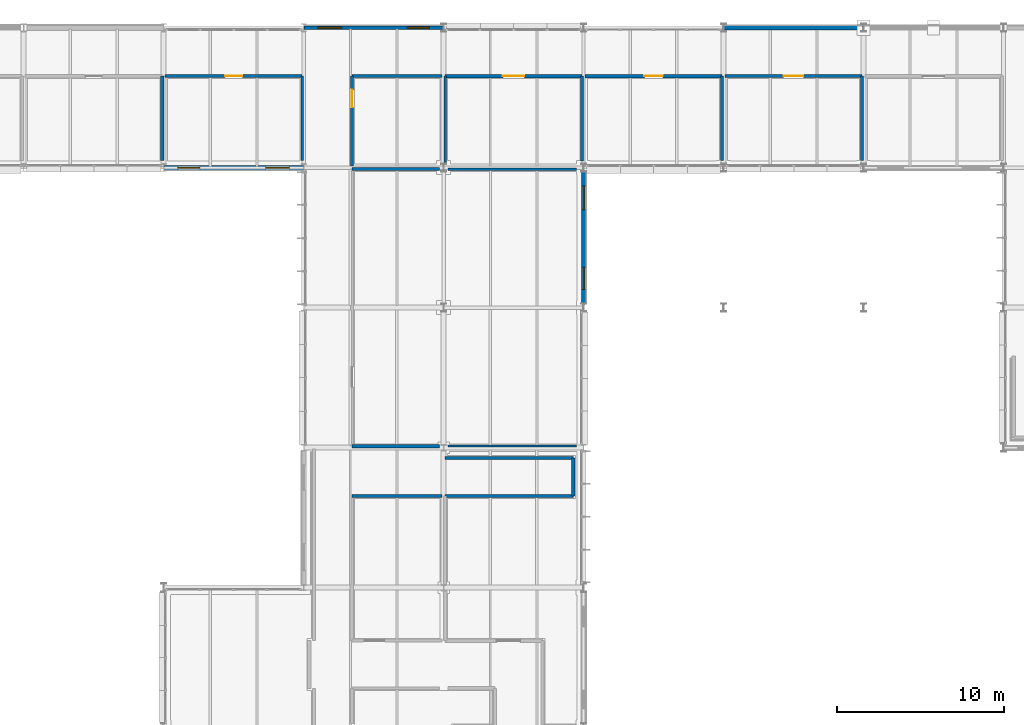
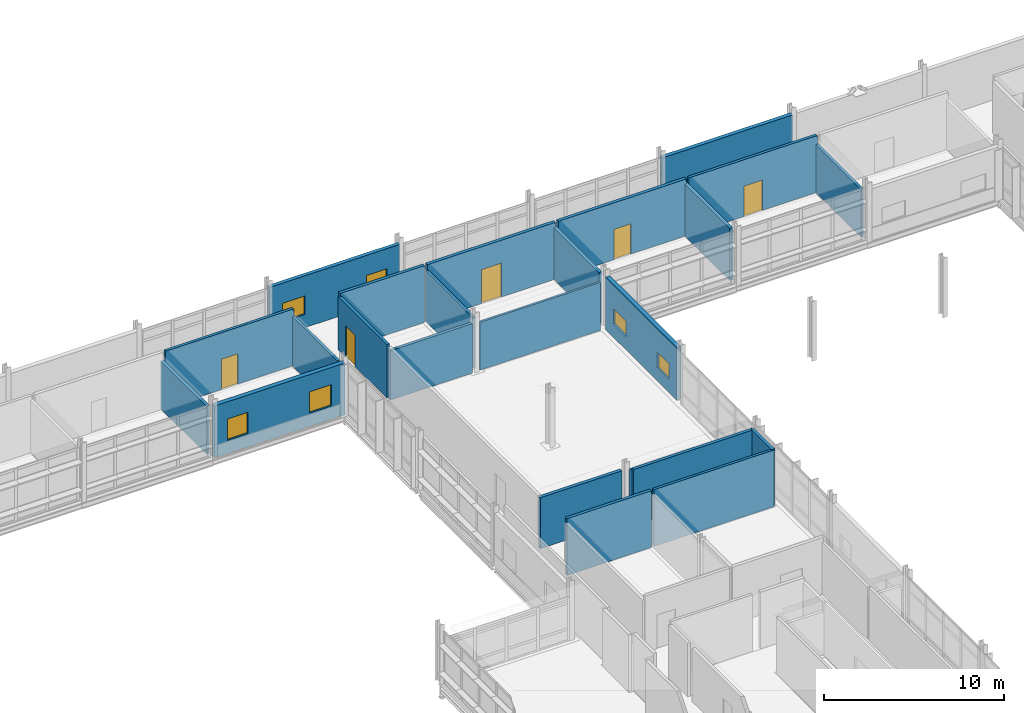
# One storey, part 110 of 131: 24 walls, 6 windows, 5 doors, 11 openings.
"""IFC4 building model written with IfcOpenShell, lengths in metres."""

from ifc_helpers import new_model, si_unit, direction, frame, frame_2d, origin, place, context, subcontext, project, spatial, rectangle, extrude, material, layer, layer_set, type_object, element, fill, save


model = new_model("IFC4")

# Units and contexts
model_context = context("Model", 3, precision=1e-05, world=origin(), true_north=direction((0.0, 1.0)))
body_context = subcontext(model_context, "Body", "Model", "MODEL_VIEW")
ifc_project = project(units=[si_unit("LENGTHUNIT", "METRE"), si_unit("AREAUNIT", "SQUARE_METRE"), si_unit("VOLUMEUNIT", "CUBIC_METRE"), si_unit("PLANEANGLEUNIT", "RADIAN"), si_unit("MASSUNIT", "GRAM", prefix="KILO")], contexts=[model_context])

# Site, building, storey
site_placement = place(None, origin())
site = spatial("IfcSite", under=ifc_project, at=site_placement, CompositionType="ELEMENT")
building_placement = place(site_placement, origin())
building = spatial("IfcBuilding", under=site, at=building_placement, Name="Mersafa Astral City Hall", CompositionType="ELEMENT")
storey_placement = place(building_placement, frame((0.0, 0.0, 13.949951171875)))
storey = spatial("IfcBuildingStorey", under=building, at=storey_placement, Name="L03", CompositionType="ELEMENT", Elevation=13.949951171875)

# Wall, openings, windows
ifc_material_1 = material(Name="Precast concrete C40/50 insulated terracotta spandrel", Category="masonry")
ifc_layer_1 = layer(ifc_material_1, 0.235107421875, Name="Precast concrete C40/50 insulated terracotta spandrel")
ifc_layer_set_1 = layer_set([ifc_layer_1], Name="Precast concrete C40/50 insulated terracotta spandrel — ENV-WAL-EXT-235")
wall_type_1 = type_object("IfcWallType", Name="ENV-WAL-EXT-235", PredefinedType="STANDARD", material=ifc_layer_set_1)
wall_1_placement = place(storey_placement, frame((109.19189453125, 126.0, 0.0), z_axis=(0.0, 0.0, 1.0), x_axis=(-1.0, 0.0, 0.0)))
wall_1 = element("IfcWall", 1, at=wall_1_placement, inside=storey, type_object=wall_type_1, Name="L03 Limestone-clad exterior wall 257", PredefinedType="STANDARD", context=body_context, shape_type="SweptSolid", body=[
    extrude(rectangle(XDim=8.3837890625, YDim=0.235107421875, at=frame_2d((4.19189453125, 0.0))), origin(), (0.0, 0.0, 1.0), 3.51708984375),
])
opening_1_placement = place(wall_1_placement, frame((0.85009765625, 0.0, 0.89990234375)))
opening_1 = element("IfcOpeningElement", 2, at=opening_1_placement, cuts=wall_1, Name="Opening W-14", PredefinedType="OPENING", context=body_context, shape_type="SweptSolid", body=[
    extrude(rectangle(XDim=1.320068359375, YDim=1.25, at=frame_2d((0.66015625, 0.625))), frame((0.0, 0.12744140625, 0.0), z_axis=(0.0, -1.0, 0.0), x_axis=(1.0, 0.0, 0.0)), (0.0, 0.0, 1.0), 0.255126953125),
])
opening_2_placement = place(wall_1_placement, frame((6.114013671875, 0.0, 0.89990234375)))
opening_2 = element("IfcOpeningElement", 3, at=opening_2_placement, cuts=wall_1, Name="Opening W-15", PredefinedType="OPENING", context=body_context, shape_type="SweptSolid", body=[
    extrude(rectangle(XDim=1.419921875, YDim=1.25, at=frame_2d((0.7099609375, 0.625))), frame((0.0, 0.12744140625, 0.0), z_axis=(0.0, -1.0, 0.0), x_axis=(1.0, 0.0, 0.0)), (0.0, 0.0, 1.0), 0.255126953125),
])
ifc_material_2 = material(Name="Solar control low-e double glazing in bronze frame", Category="glass")
window_type_1 = type_object("IfcWindowType", Name="ENV-WIN-W-14", PartitioningType="SINGLE_PANEL", PredefinedType="WINDOW", material=ifc_material_2)
window_1_placement = place(opening_1_placement, origin())
window_1 = element("IfcWindow", 4, at=window_1_placement, inside=storey, type_object=window_type_1, Name="L03 Solar punched window 257-L", OverallHeight=1.25, OverallWidth=1.320068359375, PartitioningType="SINGLE_PANEL", PredefinedType="WINDOW", context=body_context, shape_type="SweptSolid", body=[
    extrude(rectangle(XDim=1.320068359375, YDim=1.25, at=frame_2d((0.66015625, 0.625))), frame((0.0, 0.030029296875, 0.0), z_axis=(0.0, -1.0, 0.0), x_axis=(1.0, 0.0, 0.0)), (0.0, 0.0, 1.0), 0.06005859375),
])
fill(opening_1, window_1)
window_type_2 = type_object("IfcWindowType", Name="ENV-WIN-W-15", PartitioningType="SINGLE_PANEL", PredefinedType="WINDOW", material=ifc_material_2)
window_2_placement = place(opening_2_placement, origin())
window_2 = element("IfcWindow", 5, at=window_2_placement, inside=storey, type_object=window_type_2, Name="L03 Solar punched window 257-R", OverallHeight=1.25, OverallWidth=1.419921875, PartitioningType="SINGLE_PANEL", PredefinedType="WINDOW", context=body_context, shape_type="SweptSolid", body=[
    extrude(rectangle(XDim=1.419921875, YDim=1.25, at=frame_2d((0.7099609375, 0.625))), frame((0.0, 0.030029296875, 0.0), z_axis=(0.0, -1.0, 0.0), x_axis=(1.0, 0.0, 0.0)), (0.0, 0.0, 1.0), 0.06005859375),
])
fill(opening_2, window_2)

# Wall
ifc_layer_2 = layer(ifc_material_1, 0.25, Name="Precast concrete C40/50 insulated terracotta spandrel")
ifc_layer_set_2 = layer_set([ifc_layer_2], Name="Precast concrete C40/50 insulated terracotta spandrel — ENV-WAL-EXT-250")
wall_type_2 = type_object("IfcWallType", Name="ENV-WAL-EXT-250", PredefinedType="STANDARD", material=ifc_layer_set_2)
wall_2_placement = place(storey_placement, frame((134.39208984375, 126.0, 0.0), z_axis=(0.0, 0.0, 1.0), x_axis=(-1.0, 0.0, 0.0)))
element("IfcWall", 6, at=wall_2_placement, inside=storey, type_object=wall_type_2, Name="L03 Limestone-clad exterior wall 256", PredefinedType="STANDARD", context=body_context, shape_type="SweptSolid", body=[
    extrude(rectangle(XDim=8.384033203125, YDim=0.25, at=frame_2d((4.19189453125, 0.0))), origin(), (0.0, 0.0, 1.0), 3.487060546875),
])

# Wall, openings, windows
ifc_material_3 = material(Name="Precast concrete C40/50 insulated limestone wall", Category="masonry")
ifc_layer_3 = layer(ifc_material_3, 0.280029296875, Name="Precast concrete C40/50 insulated limestone wall")
ifc_layer_set_3 = layer_set([ifc_layer_3], Name="Precast concrete C40/50 insulated limestone wall — ENV-WAL-EXT-280")
wall_type_3 = type_object("IfcWallType", Name="ENV-WAL-EXT-280", PredefinedType="STANDARD", material=ifc_layer_set_3)
wall_3_placement = place(storey_placement, frame((117.60009765625, 109.446044921875, 0.0), z_axis=(0.0, 0.0, 1.0), x_axis=(0.0, 1.0, 0.0)))
wall_3 = element("IfcWall", 7, at=wall_3_placement, inside=storey, type_object=wall_type_3, Name="L03 Limestone-clad exterior wall 236", PredefinedType="STANDARD", context=body_context, shape_type="SweptSolid", body=[
    extrude(rectangle(XDim=7.907958984375, YDim=0.280029296875, at=frame_2d((3.9541015625, 0.0))), origin(), (0.0, 0.0, 1.0), 3.5771484375),
])
opening_3_placement = place(wall_3_placement, frame((0.85009765625, 0.0, 0.89990234375)))
opening_3 = element("IfcOpeningElement", 8, at=opening_3_placement, cuts=wall_3, Name="Opening W-04", PredefinedType="OPENING", context=body_context, shape_type="SweptSolid", body=[
    extrude(rectangle(XDim=1.320068359375, YDim=1.050048828125, at=frame_2d((0.66015625, 0.52490234375))), frame((0.0, 0.14990234375, 0.0), z_axis=(0.0, -1.0, 0.0), x_axis=(1.0, 0.0, 0.0)), (0.0, 0.0, 1.0), 0.300048828125),
])
opening_4_placement = place(wall_3_placement, frame((5.637939453125, 0.0, 0.89990234375)))
opening_4 = element("IfcOpeningElement", 9, at=opening_4_placement, cuts=wall_3, Name="Opening W-05", PredefinedType="OPENING", context=body_context, shape_type="SweptSolid", body=[
    extrude(rectangle(XDim=1.419921875, YDim=1.050048828125, at=frame_2d((0.7099609375, 0.52490234375))), frame((0.0, 0.14990234375, 0.0), z_axis=(0.0, -1.0, 0.0), x_axis=(1.0, 0.0, 0.0)), (0.0, 0.0, 1.0), 0.300048828125),
])
window_type_3 = type_object("IfcWindowType", Name="ENV-WIN-W-04", PartitioningType="SINGLE_PANEL", PredefinedType="WINDOW", material=ifc_material_2)
window_3_placement = place(opening_3_placement, origin())
window_3 = element("IfcWindow", 10, at=window_3_placement, inside=storey, type_object=window_type_3, Name="L03 Solar punched window 236-L", OverallHeight=1.050048828125, OverallWidth=1.320068359375, PartitioningType="SINGLE_PANEL", PredefinedType="WINDOW", context=body_context, shape_type="SweptSolid", body=[
    extrude(rectangle(XDim=1.320068359375, YDim=1.050048828125, at=frame_2d((0.66015625, 0.52490234375))), frame((0.0, 0.030029296875, 0.0), z_axis=(0.0, -1.0, 0.0), x_axis=(1.0, 0.0, 0.0)), (0.0, 0.0, 1.0), 0.06005859375),
])
fill(opening_3, window_3)
window_type_4 = type_object("IfcWindowType", Name="ENV-WIN-W-05", PartitioningType="SINGLE_PANEL", PredefinedType="WINDOW", material=ifc_material_2)
window_4_placement = place(opening_4_placement, origin())
window_4 = element("IfcWindow", 11, at=window_4_placement, inside=storey, type_object=window_type_4, Name="L03 Solar punched window 236-R", OverallHeight=1.050048828125, OverallWidth=1.419921875, PartitioningType="SINGLE_PANEL", PredefinedType="WINDOW", context=body_context, shape_type="SweptSolid", body=[
    extrude(rectangle(XDim=1.419921875, YDim=1.050048828125, at=frame_2d((0.7099609375, 0.52490234375))), frame((0.0, 0.030029296875, 0.0), z_axis=(0.0, -1.0, 0.0), x_axis=(1.0, 0.0, 0.0)), (0.0, 0.0, 1.0), 0.06005859375),
])
fill(opening_4, window_4)

wall_4_placement = place(storey_placement, frame((92.407958984375, 117.60009765625, 0.0), z_axis=(0.0, 0.0, 1.0), x_axis=(1.0, 0.0, 0.0)))
wall_4 = element("IfcWall", 12, at=wall_4_placement, inside=storey, type_object=wall_type_3, Name="L03 Limestone-clad exterior wall 278", PredefinedType="STANDARD", context=body_context, shape_type="SweptSolid", body=[
    extrude(rectangle(XDim=8.384033203125, YDim=0.280029296875, at=frame_2d((4.19189453125, 0.0))), origin(), (0.0, 0.0, 1.0), 3.51708984375),
])
opening_5_placement = place(wall_4_placement, frame((0.85009765625, 0.0, 0.89990234375)))
opening_5 = element("IfcOpeningElement", 13, at=opening_5_placement, cuts=wall_4, Name="Opening W-24", PredefinedType="OPENING", context=body_context, shape_type="SweptSolid", body=[
    extrude(rectangle(XDim=1.320068359375, YDim=1.449951171875, at=frame_2d((0.66015625, 0.72509765625))), frame((0.0, 0.14990234375, 0.0), z_axis=(0.0, -1.0, 0.0), x_axis=(1.0, 0.0, 0.0)), (0.0, 0.0, 1.0), 0.300048828125),
])
opening_6_placement = place(wall_4_placement, frame((6.114013671875, 0.0, 0.89990234375)))
opening_6 = element("IfcOpeningElement", 14, at=opening_6_placement, cuts=wall_4, Name="Opening W-25", PredefinedType="OPENING", context=body_context, shape_type="SweptSolid", body=[
    extrude(rectangle(XDim=1.419921875, YDim=1.449951171875, at=frame_2d((0.7099609375, 0.72509765625))), frame((0.0, 0.14990234375, 0.0), z_axis=(0.0, -1.0, 0.0), x_axis=(1.0, 0.0, 0.0)), (0.0, 0.0, 1.0), 0.300048828125),
])
window_type_5 = type_object("IfcWindowType", Name="ENV-WIN-W-24", PartitioningType="SINGLE_PANEL", PredefinedType="WINDOW", material=ifc_material_2)
window_5_placement = place(opening_5_placement, origin())
window_5 = element("IfcWindow", 15, at=window_5_placement, inside=storey, type_object=window_type_5, Name="L03 Solar punched window 278-L", OverallHeight=1.449951171875, OverallWidth=1.320068359375, PartitioningType="SINGLE_PANEL", PredefinedType="WINDOW", context=body_context, shape_type="SweptSolid", body=[
    extrude(rectangle(XDim=1.320068359375, YDim=1.449951171875, at=frame_2d((0.66015625, 0.72509765625))), frame((0.0, 0.030029296875, 0.0), z_axis=(0.0, -1.0, 0.0), x_axis=(1.0, 0.0, 0.0)), (0.0, 0.0, 1.0), 0.06005859375),
])
fill(opening_5, window_5)
window_type_6 = type_object("IfcWindowType", Name="ENV-WIN-W-25", PartitioningType="SINGLE_PANEL", PredefinedType="WINDOW", material=ifc_material_2)
window_6_placement = place(opening_6_placement, origin())
window_6 = element("IfcWindow", 16, at=window_6_placement, inside=storey, type_object=window_type_6, Name="L03 Solar punched window 278-R", OverallHeight=1.449951171875, OverallWidth=1.419921875, PartitioningType="SINGLE_PANEL", PredefinedType="WINDOW", context=body_context, shape_type="SweptSolid", body=[
    extrude(rectangle(XDim=1.419921875, YDim=1.449951171875, at=frame_2d((0.7099609375, 0.72509765625))), frame((0.0, 0.030029296875, 0.0), z_axis=(0.0, -1.0, 0.0), x_axis=(1.0, 0.0, 0.0)), (0.0, 0.0, 1.0), 0.06005859375),
])
fill(opening_6, window_6)

# Walls
ifc_material_4 = material(Name="Acoustic steel-stud gypsum partition", Category="steel")
ifc_layer_4 = layer(ifc_material_4, 0.1201171875, Name="Acoustic steel-stud gypsum partition")
ifc_layer_set_4 = layer_set([ifc_layer_4], Name="Acoustic steel-stud gypsum partition — INT-WAL-PART-EI30-120")
wall_type_4 = type_object("IfcWallType", Name="INT-WAL-PART-EI30-120", PredefinedType="STANDARD", material=ifc_layer_set_4)
wall_5_placement = place(storey_placement, frame((117.179931640625, 100.889892578125, -0.00390625), z_axis=(0.0, 0.0, 1.0), x_axis=(-1.0, 0.0, 0.0)))
element("IfcWall", 17, at=wall_5_placement, inside=storey, type_object=wall_type_4, Name="L03 Interior partition wall 563", PredefinedType="STANDARD", context=body_context, shape_type="SweptSolid", body=[
    extrude(rectangle(XDim=7.719970703125, YDim=0.1201171875, at=frame_2d((3.85986328125, 0.0))), origin(), (0.0, 0.0, 1.0), 3.301025390625),
])
ifc_layer_5 = layer(ifc_material_4, 0.135009765625, Name="Acoustic steel-stud gypsum partition")
ifc_layer_set_5 = layer_set([ifc_layer_5], Name="Acoustic steel-stud gypsum partition — INT-WAL-PART-EI30-135")
wall_type_5 = type_object("IfcWallType", Name="INT-WAL-PART-EI30-135", PredefinedType="STANDARD", material=ifc_layer_set_5)
wall_6_placement = place(storey_placement, frame((109.4599609375, 117.510009765625, -0.00390625), z_axis=(0.0, 0.0, 1.0), x_axis=(1.0, 0.0, 0.0)))
element("IfcWall", 18, at=wall_6_placement, inside=storey, type_object=wall_type_5, Name="L03 Interior partition wall 562", PredefinedType="STANDARD", context=body_context, shape_type="SweptSolid", body=[
    extrude(rectangle(XDim=7.719970703125, YDim=0.135009765625, at=frame_2d((3.85986328125, 0.0))), origin(), (0.0, 0.0, 1.0), 3.2509765625),
])
ifc_material_5 = material(Name="Fire-rated gypsum stud partition", Category="gypsum")
ifc_layer_6 = layer(ifc_material_5, 0.1650390625, Name="Fire-rated gypsum stud partition")
ifc_layer_set_6 = layer_set([ifc_layer_6], Name="Fire-rated gypsum stud partition — INT-WAL-PART-EI60-165")
wall_type_6 = type_object("IfcWallType", Name="INT-WAL-PART-EI60-165", PredefinedType="STANDARD", material=ifc_layer_set_6)
wall_7_placement = place(storey_placement, frame((109.2900390625, 97.89990234375, -0.00390625), z_axis=(0.0, 0.0, 1.0), x_axis=(1.0, 0.0, 0.0)))
element("IfcWall", 19, at=wall_7_placement, inside=storey, type_object=wall_type_6, Name="L03 Interior partition wall 575", PredefinedType="STANDARD", context=body_context, shape_type="SweptSolid", body=[
    extrude(rectangle(XDim=7.68994140625, YDim=0.1650390625, at=frame_2d((3.844970703125, 0.0))), origin(), (0.0, 0.0, 1.0), 3.85400390625),
])
wall_8_placement = place(storey_placement, frame((109.2900390625, 117.828857421875, -0.00390625), z_axis=(0.0, 0.0, 1.0), x_axis=(0.0, 1.0, 0.0)))
element("IfcWall", 20, at=wall_8_placement, inside=storey, type_object=wall_type_6, Name="L03 Interior partition wall 611", PredefinedType="STANDARD", context=body_context, shape_type="SweptSolid", body=[
    extrude(rectangle(XDim=5.271240234375, YDim=0.1650390625, at=frame_2d((2.6357421875, 0.0))), origin(), (0.0, 0.0, 1.0), 3.450927734375),
])
wall_9_placement = place(storey_placement, frame((100.7099609375, 123.10009765625, -0.00390625), z_axis=(0.0, 0.0, 1.0), x_axis=(0.0, -1.0, 0.0)))
element("IfcWall", 21, at=wall_9_placement, inside=storey, type_object=wall_type_6, Name="L03 Interior partition wall 627", PredefinedType="STANDARD", context=body_context, shape_type="SweptSolid", body=[
    extrude(rectangle(XDim=5.080078125, YDim=0.1650390625, at=frame_2d((2.5400390625, 0.0))), origin(), (0.0, 0.0, 1.0), 3.36083984375),
])
wall_10_placement = place(storey_placement, frame((134.31005859375, 123.10009765625, -0.00390625), z_axis=(0.0, 0.0, 1.0), x_axis=(0.0, -1.0, 0.0)))
element("IfcWall", 22, at=wall_10_placement, inside=storey, type_object=wall_type_6, Name="L03 Interior partition wall 631", PredefinedType="STANDARD", context=body_context, shape_type="SweptSolid", body=[
    extrude(rectangle(XDim=5.080078125, YDim=0.1650390625, at=frame_2d((2.5400390625, 0.0))), origin(), (0.0, 0.0, 1.0), 3.2509765625),
])
ifc_material_6 = material(Name="Acoustic twin-stud gypsum partition", Category="gypsum")
ifc_layer_7 = layer(ifc_material_6, 0.179931640625, Name="Acoustic twin-stud gypsum partition")
ifc_layer_set_7 = layer_set([ifc_layer_7], Name="Acoustic twin-stud gypsum partition — INT-WAL-PART-EI60-180")
wall_type_7 = type_object("IfcWallType", Name="INT-WAL-PART-EI60-180", PredefinedType="STANDARD", material=ifc_layer_set_7)
wall_11_placement = place(storey_placement, frame((103.699951171875, 117.510009765625, -0.00390625), z_axis=(0.0, 0.0, 1.0), x_axis=(1.0, 0.0, 0.0)))
element("IfcWall", 23, at=wall_11_placement, inside=storey, type_object=wall_type_7, Name="L03 Interior partition wall 566", PredefinedType="STANDARD", context=body_context, shape_type="SweptSolid", body=[
    extrude(rectangle(XDim=5.239990234375, YDim=0.179931640625, at=frame_2d((2.6201171875, 0.0))), origin(), (0.0, 0.0, 1.0), 3.35107421875),
])

# Wall, opening, door
wall_12_placement = place(storey_placement, frame((92.489990234375, 123.10009765625, -0.00390625), z_axis=(0.0, 0.0, 1.0), x_axis=(1.0, 0.0, 0.0)))
wall_12 = element("IfcWall", 24, at=wall_12_placement, inside=storey, type_object=wall_type_7, Name="L03 Interior partition wall 626", PredefinedType="STANDARD", context=body_context, shape_type="SweptSolid", body=[
    extrude(rectangle(XDim=8.219970703125, YDim=0.179931640625, at=frame_2d((4.10986328125, 0.0))), origin(), (0.0, 0.0, 1.0), 3.85400390625),
])
opening_7_placement = place(wall_12_placement, frame((3.590087890625, 0.0, 0.0)))
opening_7 = element("IfcOpeningElement", 25, at=opening_7_placement, cuts=wall_12, Name="Opening D-03", PredefinedType="OPENING", context=body_context, shape_type="SweptSolid", body=[
    extrude(rectangle(XDim=1.0400390625, YDim=2.06005859375, at=frame_2d((0.52001953125, 1.030029296875))), frame((0.0, 0.099853515625, 0.0), z_axis=(0.0, -1.0, 0.0), x_axis=(1.0, 0.0, 0.0)), (0.0, 0.0, 1.0), 0.199951171875),
])
ifc_material_7 = material(Name="Cedar veneered acoustic fire-rated timber door", Category="wood")
door_type_1 = type_object("IfcDoorType", Name="INT-DR-RM-D-03", OperationType="NOTDEFINED", PredefinedType="DOOR", material=ifc_material_7)
door_1_placement = place(opening_7_placement, origin())
door_1 = element("IfcDoor", 26, at=door_1_placement, inside=storey, type_object=door_type_1, Name="L03 Municipal Administration Office L03-19 Entrance Door", OperationType="SINGLE_SWING_LEFT", OverallHeight=2.06005859375, OverallWidth=1.0400390625, PredefinedType="DOOR", context=body_context, shape_type="SweptSolid", body=[
    extrude(rectangle(XDim=1.0400390625, YDim=2.06005859375, at=frame_2d((0.52001953125, 1.030029296875))), frame((0.0, 0.02490234375, 0.0), z_axis=(0.0, -1.0, 0.0), x_axis=(1.0, 0.0, 0.0)), (0.0, 0.0, 1.0), 0.050048828125),
])
fill(opening_7, door_1)

wall_13_placement = place(storey_placement, frame((126.090087890625, 123.10009765625, -0.00390625), z_axis=(0.0, 0.0, 1.0), x_axis=(1.0, 0.0, 0.0)))
wall_13 = element("IfcWall", 27, at=wall_13_placement, inside=storey, type_object=wall_type_7, Name="L03 Interior partition wall 630", PredefinedType="STANDARD", context=body_context, shape_type="SweptSolid", body=[
    extrude(rectangle(XDim=8.219970703125, YDim=0.179931640625, at=frame_2d((4.10986328125, 0.0))), origin(), (0.0, 0.0, 1.0), 3.85400390625),
])
opening_8_placement = place(wall_13_placement, frame((3.52001953125, 0.0, 0.0)))
opening_8 = element("IfcOpeningElement", 28, at=opening_8_placement, cuts=wall_13, Name="Opening D-05", PredefinedType="OPENING", context=body_context, shape_type="SweptSolid", body=[
    extrude(rectangle(XDim=1.179931640625, YDim=2.06005859375, at=frame_2d((0.58984375, 1.030029296875))), frame((0.0, 0.099853515625, 0.0), z_axis=(0.0, -1.0, 0.0), x_axis=(1.0, 0.0, 0.0)), (0.0, 0.0, 1.0), 0.199951171875),
])
door_type_2 = type_object("IfcDoorType", Name="INT-DR-RM-D-05", OperationType="NOTDEFINED", PredefinedType="DOOR", material=ifc_material_7)
door_2_placement = place(opening_8_placement, origin())
door_2 = element("IfcDoor", 29, at=door_2_placement, inside=storey, type_object=door_type_2, Name="L03 Civil Engineering Directorate Office L03-21 Entrance Door", OperationType="SINGLE_SWING_LEFT", OverallHeight=2.06005859375, OverallWidth=1.179931640625, PredefinedType="DOOR", context=body_context, shape_type="SweptSolid", body=[
    extrude(rectangle(XDim=1.179931640625, YDim=2.06005859375, at=frame_2d((0.58984375, 1.030029296875))), frame((0.0, 0.02490234375, 0.0), z_axis=(0.0, -1.0, 0.0), x_axis=(1.0, 0.0, 0.0)), (0.0, 0.0, 1.0), 0.050048828125),
])
fill(opening_8, door_2)

wall_14_placement = place(storey_placement, frame((103.699951171875, 117.68994140625, -0.00390625), z_axis=(0.0, 0.0, 1.0), x_axis=(0.0, 1.0, 0.0)))
wall_14 = element("IfcWall", 30, at=wall_14_placement, inside=storey, type_object=wall_type_7, Name="L03 Interior partition wall 650", PredefinedType="STANDARD", context=body_context, shape_type="SweptSolid", body=[
    extrude(rectangle(XDim=5.41015625, YDim=0.179931640625, at=frame_2d((2.705078125, 0.0))), origin(), (0.0, 0.0, 1.0), 3.630859375),
])
opening_9_placement = place(wall_14_placement, frame((3.53759765625, 0.0, 0.0)))
opening_9 = element("IfcOpeningElement", 31, at=opening_9_placement, cuts=wall_14, Name="Opening D-12", PredefinedType="OPENING", context=body_context, shape_type="SweptSolid", body=[
    extrude(rectangle(XDim=1.0400390625, YDim=2.139892578125, at=frame_2d((0.52001953125, 1.06982421875))), frame((0.0, 0.099853515625, 0.0), z_axis=(0.0, -1.0, 0.0), x_axis=(1.0, 0.0, 0.0)), (0.0, 0.0, 1.0), 0.199951171875),
])
door_type_3 = type_object("IfcDoorType", Name="INT-DR-RM-D-12", OperationType="NOTDEFINED", PredefinedType="DOOR", material=ifc_material_7)
door_3_placement = place(opening_9_placement, origin())
door_3 = element("IfcDoor", 32, at=door_3_placement, inside=storey, type_object=door_type_3, Name="L03 Municipal Administration Office L03-28 Entrance Door", OperationType="SINGLE_SWING_RIGHT", OverallHeight=2.139892578125, OverallWidth=1.0400390625, PredefinedType="DOOR", context=body_context, shape_type="SweptSolid", body=[
    extrude(rectangle(XDim=1.0400390625, YDim=2.139892578125, at=frame_2d((0.52001953125, 1.06982421875))), frame((0.0, 0.02490234375, 0.0), z_axis=(0.0, -1.0, 0.0), x_axis=(1.0, 0.0, 0.0)), (0.0, 0.0, 1.0), 0.050048828125),
])
fill(opening_9, door_3)

# Walls
ifc_layer_8 = layer(ifc_material_6, 0.195068359375, Name="Acoustic twin-stud gypsum partition")
ifc_layer_set_8 = layer_set([ifc_layer_8], Name="Acoustic twin-stud gypsum partition — INT-WAL-PART-EI60-195")
wall_type_8 = type_object("IfcWallType", Name="INT-WAL-PART-EI60-195", PredefinedType="STANDARD", material=ifc_layer_set_8)
wall_15_placement = place(storey_placement, frame((116.97998046875, 100.179931640625, -0.00390625), z_axis=(0.0, 0.0, 1.0), x_axis=(-1.0, 0.0, 0.0)))
element("IfcWall", 33, at=wall_15_placement, inside=storey, type_object=wall_type_8, Name="L03 Interior partition wall 577", PredefinedType="STANDARD", context=body_context, shape_type="SweptSolid", body=[
    extrude(rectangle(XDim=7.68994140625, YDim=0.195068359375, at=frame_2d((3.844970703125, 0.0))), origin(), (0.0, 0.0, 1.0), 3.85400390625),
])
wall_16_placement = place(storey_placement, frame((103.699951171875, 97.89990234375, -0.00390625), z_axis=(0.0, 0.0, 1.0), x_axis=(1.0, 0.0, 0.0)))
element("IfcWall", 34, at=wall_16_placement, inside=storey, type_object=wall_type_8, Name="L03 Interior partition wall 609", PredefinedType="STANDARD", context=body_context, shape_type="SweptSolid", body=[
    extrude(rectangle(XDim=5.41015625, YDim=0.195068359375, at=frame_2d((2.705078125, 0.0))), origin(), (0.0, 0.0, 1.0), 3.85400390625),
])
wall_17_placement = place(storey_placement, frame((117.510009765625, 123.10009765625, -0.00390625), z_axis=(0.0, 0.0, 1.0), x_axis=(0.0, -1.0, 0.0)))
element("IfcWall", 35, at=wall_17_placement, inside=storey, type_object=wall_type_8, Name="L03 Interior partition wall 613", PredefinedType="STANDARD", context=body_context, shape_type="SweptSolid", body=[
    extrude(rectangle(XDim=5.090087890625, YDim=0.195068359375, at=frame_2d((2.544921875, 0.0))), origin(), (0.0, 0.0, 1.0), 3.5009765625),
])
wall_18_placement = place(storey_placement, frame((92.31005859375, 123.10009765625, -0.00390625), z_axis=(0.0, 0.0, 1.0), x_axis=(0.0, -1.0, 0.0)))
element("IfcWall", 36, at=wall_18_placement, inside=storey, type_object=wall_type_8, Name="L03 Interior partition wall 625", PredefinedType="STANDARD", context=body_context, shape_type="SweptSolid", body=[
    extrude(rectangle(XDim=5.080078125, YDim=0.195068359375, at=frame_2d((2.5400390625, 0.0))), origin(), (0.0, 0.0, 1.0), 3.2509765625),
])
wall_19_placement = place(storey_placement, frame((125.909912109375, 123.10009765625, -0.00390625), z_axis=(0.0, 0.0, 1.0), x_axis=(0.0, -1.0, 0.0)))
element("IfcWall", 37, at=wall_19_placement, inside=storey, type_object=wall_type_8, Name="L03 Interior partition wall 629", PredefinedType="STANDARD", context=body_context, shape_type="SweptSolid", body=[
    extrude(rectangle(XDim=5.080078125, YDim=0.195068359375, at=frame_2d((2.5400390625, 0.0))), origin(), (0.0, 0.0, 1.0), 3.541015625),
])
wall_20_placement = place(storey_placement, frame((103.699951171875, 123.10009765625, -0.00390625), z_axis=(0.0, 0.0, 1.0), x_axis=(1.0, 0.0, 0.0)))
element("IfcWall", 38, at=wall_20_placement, inside=storey, type_object=wall_type_8, Name="L03 Interior partition wall 649", PredefinedType="STANDARD", context=body_context, shape_type="SweptSolid", body=[
    extrude(rectangle(XDim=5.41015625, YDim=0.195068359375, at=frame_2d((2.705078125, 0.0))), origin(), (0.0, 0.0, 1.0), 3.85400390625),
])
ifc_material_8 = material(Name="Autoclaved aerated concrete blockwork plastered", Category="masonry")
ifc_layer_9 = layer(ifc_material_8, 0.2099609375, Name="Autoclaved aerated concrete blockwork plastered")
ifc_layer_set_9 = layer_set([ifc_layer_9], Name="Autoclaved aerated concrete blockwork plastered — INT-WAL-PART-EI60-210")
wall_type_9 = type_object("IfcWallType", Name="INT-WAL-PART-EI60-210", PredefinedType="STANDARD", material=ifc_layer_set_9)
wall_21_placement = place(storey_placement, frame((108.93994140625, 100.889892578125, -0.00390625), z_axis=(0.0, 0.0, 1.0), x_axis=(-1.0, 0.0, 0.0)))
element("IfcWall", 39, at=wall_21_placement, inside=storey, type_object=wall_type_9, Name="L03 Interior partition wall 564", PredefinedType="STANDARD", context=body_context, shape_type="SweptSolid", body=[
    extrude(rectangle(XDim=5.239990234375, YDim=0.2099609375, at=frame_2d((2.6201171875, 0.0))), origin(), (0.0, 0.0, 1.0), 3.4609375),
])
wall_22_placement = place(storey_placement, frame((116.97998046875, 97.89990234375, -0.00390625), z_axis=(0.0, 0.0, 1.0), x_axis=(0.0, 1.0, 0.0)))
element("IfcWall", 40, at=wall_22_placement, inside=storey, type_object=wall_type_9, Name="L03 Interior partition wall 576", PredefinedType="STANDARD", context=body_context, shape_type="SweptSolid", body=[
    extrude(rectangle(XDim=2.280029296875, YDim=0.2099609375, at=frame_2d((1.14013671875, 0.0))), origin(), (0.0, 0.0, 1.0), 3.85400390625),
])

# Wall, opening, door
wall_23_placement = place(storey_placement, frame((109.2900390625, 123.10009765625, -0.00390625), z_axis=(0.0, 0.0, 1.0), x_axis=(1.0, 0.0, 0.0)))
wall_23 = element("IfcWall", 41, at=wall_23_placement, inside=storey, type_object=wall_type_9, Name="L03 Interior partition wall 612", PredefinedType="STANDARD", context=body_context, shape_type="SweptSolid", body=[
    extrude(rectangle(XDim=8.219970703125, YDim=0.2099609375, at=frame_2d((4.10986328125, 0.0))), origin(), (0.0, 0.0, 1.0), 3.85400390625),
])
opening_10_placement = place(wall_23_placement, frame((3.469970703125, 0.0, 0.0)))
opening_10 = element("IfcOpeningElement", 42, at=opening_10_placement, cuts=wall_23, Name="Opening D-33", PredefinedType="OPENING", context=body_context, shape_type="SweptSolid", body=[
    extrude(rectangle(XDim=1.280029296875, YDim=2.300048828125, at=frame_2d((0.64013671875, 1.14990234375))), frame((0.0, 0.114990234375, 0.0), z_axis=(0.0, -1.0, 0.0), x_axis=(1.0, 0.0, 0.0)), (0.0, 0.0, 1.0), 0.22998046875),
])
door_type_4 = type_object("IfcDoorType", Name="INT-DR-RM-D-33", OperationType="NOTDEFINED", PredefinedType="DOOR", material=ifc_material_7)
door_4_placement = place(opening_10_placement, origin())
door_4 = element("IfcDoor", 43, at=door_4_placement, inside=storey, type_object=door_type_4, Name="L03 Municipal Finance & Treasury Office L03-13 Entrance Door", OperationType="SINGLE_SWING_LEFT", OverallHeight=2.300048828125, OverallWidth=1.280029296875, PredefinedType="DOOR", context=body_context, shape_type="SweptSolid", body=[
    extrude(rectangle(XDim=1.280029296875, YDim=2.300048828125, at=frame_2d((0.64013671875, 1.14990234375))), frame((0.0, 0.02490234375, 0.0), z_axis=(0.0, -1.0, 0.0), x_axis=(1.0, 0.0, 0.0)), (0.0, 0.0, 1.0), 0.050048828125),
])
fill(opening_10, door_4)

wall_24_placement = place(storey_placement, frame((117.68994140625, 123.10009765625, -0.00390625), z_axis=(0.0, 0.0, 1.0), x_axis=(1.0, 0.0, 0.0)))
wall_24 = element("IfcWall", 44, at=wall_24_placement, inside=storey, type_object=wall_type_9, Name="L03 Interior partition wall 628", PredefinedType="STANDARD", context=body_context, shape_type="SweptSolid", body=[
    extrude(rectangle(XDim=8.219970703125, YDim=0.2099609375, at=frame_2d((4.10986328125, 0.0))), origin(), (0.0, 0.0, 1.0), 3.85400390625),
])
opening_11_placement = place(wall_24_placement, frame((3.56005859375, 0.0, 0.0)))
opening_11 = element("IfcOpeningElement", 45, at=opening_11_placement, cuts=wall_24, Name="Opening D-04", PredefinedType="OPENING", context=body_context, shape_type="SweptSolid", body=[
    extrude(rectangle(XDim=1.10009765625, YDim=2.06005859375, at=frame_2d((0.550048828125, 1.030029296875))), frame((0.0, 0.114990234375, 0.0), z_axis=(0.0, -1.0, 0.0), x_axis=(1.0, 0.0, 0.0)), (0.0, 0.0, 1.0), 0.22998046875),
])
door_type_5 = type_object("IfcDoorType", Name="INT-DR-RM-D-04", OperationType="NOTDEFINED", PredefinedType="DOOR", material=ifc_material_7)
door_5_placement = place(opening_11_placement, origin())
door_5 = element("IfcDoor", 46, at=door_5_placement, inside=storey, type_object=door_type_5, Name="L03 Urban Planning Studio L03-20 Entrance Door", OperationType="SINGLE_SWING_RIGHT", OverallHeight=2.06005859375, OverallWidth=1.10009765625, PredefinedType="DOOR", context=body_context, shape_type="SweptSolid", body=[
    extrude(rectangle(XDim=1.10009765625, YDim=2.06005859375, at=frame_2d((0.550048828125, 1.030029296875))), frame((0.0, 0.02490234375, 0.0), z_axis=(0.0, -1.0, 0.0), x_axis=(1.0, 0.0, 0.0)), (0.0, 0.0, 1.0), 0.050048828125),
])
fill(opening_11, door_5)

save(model, "model.ifc")
